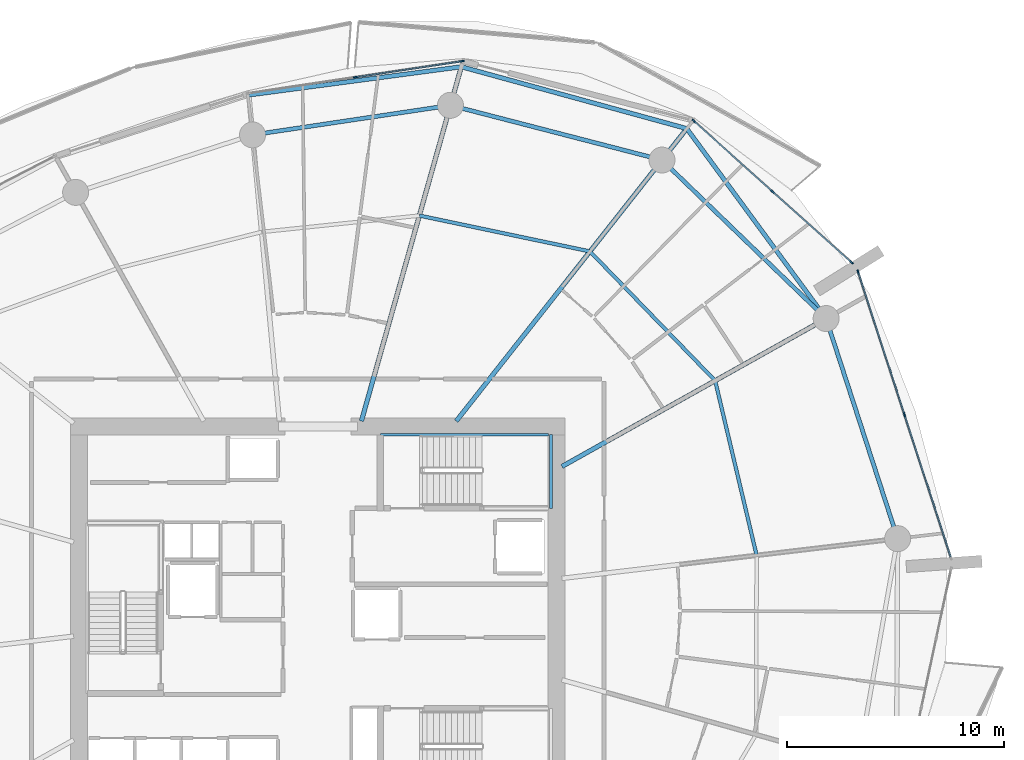
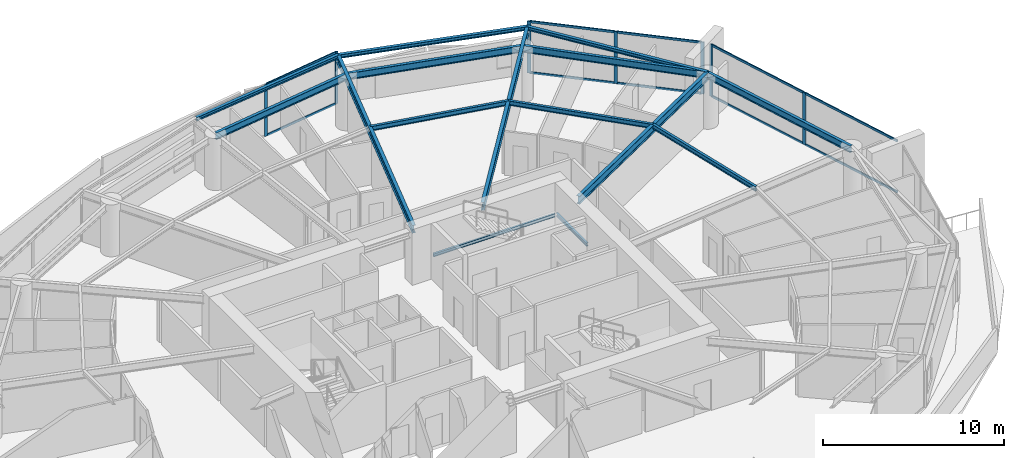
# One storey, part 9 of 23: 17 members, 15 beams, 3 elements without a shape of their own.
"""IFC4 building model written with IfcOpenShell, lengths in metres."""

from ifc_helpers import new_model, si_unit, direction, frame, origin, origin_2d, place, context, subcontext, project, spatial, rectangle, i_section, extrude, material, layer, layer_set, material_profile, profile_set, type_object, element, aggregate, save


model = new_model("IFC4")

# Units and contexts
model_context = context("Model", 3, precision=1e-05, world=origin(), true_north=direction((0.0, 1.0)))
body_context = subcontext(model_context, "Body", "Model", "MODEL_VIEW")
ifc_project = project(units=[si_unit("LENGTHUNIT", "METRE"), si_unit("AREAUNIT", "SQUARE_METRE"), si_unit("VOLUMEUNIT", "CUBIC_METRE"), si_unit("PLANEANGLEUNIT", "RADIAN"), si_unit("MASSUNIT", "GRAM", prefix="KILO")], contexts=[model_context])

# Site, building, storey
site_placement = place(None, origin())
site = spatial("IfcSite", under=ifc_project, at=site_placement, CompositionType="ELEMENT")
building_placement = place(site_placement, origin())
building = spatial("IfcBuilding", under=site, at=building_placement, Name="Kazma Halo Residences", CompositionType="ELEMENT")
storey_placement = place(building_placement, frame((0.0, 0.0, 86.39990234375)))
storey = spatial("IfcBuildingStorey", under=building, at=storey_placement, Name="L21", CompositionType="ELEMENT", Elevation=86.39990234375)

# Beams
ifc_material_1 = material(Name="Steel S355", Category="steel")
ifc_material_profile_1 = material_profile(ifc_material_1, i_section(OverallWidth=0.201904296875, OverallDepth=0.2470703125, WebThickness=0.00732421875, FlangeThickness=0.010986328125, FilletRadius=0.011962890625, at=origin_2d()), Name="W250x49.1")
ifc_profile_set_1 = profile_set([ifc_material_profile_1], Name="Steel S355")
beam_type_1 = type_object("IfcBeamType", Name="BM-BAL-CANT", PredefinedType="BEAM", material=ifc_profile_set_1)
beam_1_placement = place(storey_placement, frame((71.9033203125, 55.386474609375, 3.376708984375), z_axis=(-0.59144927253, 0.806342209005, 0.0), x_axis=(-0.806342209005, -0.59144927253, 0.0)))
element("IfcBeam", 1, at=beam_1_placement, inside=storey, type_object=beam_type_1, Name="L21 wave-balcony lead tie beam 01", PredefinedType="BEAM", context=body_context, shape_type="SweptSolid", body=[
    extrude(i_section(OverallWidth=0.201904296875, OverallDepth=0.2470703125, WebThickness=0.00732421875, FlangeThickness=0.010986328125, FilletRadius=0.011962890625, at=origin_2d()), origin(), (0.0, 0.0, 1.0), 10.87939453125),
])
beam_2_placement = place(storey_placement, frame((65.46875, 64.158935546875, 3.376708984375), z_axis=(-0.964396617, 0.264460139, 0.0), x_axis=(-0.264460139, -0.964396617, 0.0)))
element("IfcBeam", 2, at=beam_2_placement, inside=storey, type_object=beam_type_1, Name="L21 wave-balcony tie beam 02", PredefinedType="BEAM", context=body_context, shape_type="SweptSolid", body=[
    extrude(i_section(OverallWidth=0.201904296875, OverallDepth=0.2470703125, WebThickness=0.00732421875, FlangeThickness=0.010986328125, FilletRadius=0.011962890625, at=origin_2d()), origin(), (0.0, 0.0, 1.0), 10.79833984375),
])
beam_3_placement = place(storey_placement, frame((55.054931640625, 67.0146484375, 3.376708984375), z_axis=(-0.991294955884, -0.131659828494, 0.0), x_axis=(0.131659828494, -0.991294955884, 0.0)))
element("IfcBeam", 3, at=beam_3_placement, inside=storey, type_object=beam_type_1, Name="L21 wave-balcony tie beam 03", PredefinedType="BEAM", context=body_context, shape_type="SweptSolid", body=[
    extrude(i_section(OverallWidth=0.201904296875, OverallDepth=0.2470703125, WebThickness=0.00732421875, FlangeThickness=0.010986328125, FilletRadius=0.011962890625, at=origin_2d()), origin(), (0.0, 0.0, 1.0), 9.902099609375),
])
ifc_material_profile_2 = material_profile(ifc_material_1, i_section(OverallWidth=0.208984375, OverallDepth=0.532958984375, WebThickness=0.01025390625, FlangeThickness=0.015625, FilletRadius=0.01611328125, at=origin_2d()), Name="W530x92")
ifc_profile_set_2 = profile_set([ifc_material_profile_2], Name="Steel S355")
beam_type_2 = type_object("IfcBeamType", Name="BM-RAD-W530", PredefinedType="BEAM", material=ifc_profile_set_2)
beam_4_placement = place(storey_placement, frame((59.699951171875, 48.55224609375, 3.233642578125), z_axis=(0.87249559794, 0.488621972055, 0.0), x_axis=(-0.488621972055, 0.87249559794, 0.0)))
element("IfcBeam", 4, at=beam_4_placement, inside=storey, type_object=beam_type_2, Name="L21 radial floor beam 01", PredefinedType="BEAM", context=body_context, shape_type="SweptSolid", body=[
    extrude(i_section(OverallWidth=0.208984375, OverallDepth=0.532958984375, WebThickness=0.01025390625, FlangeThickness=0.015625, FilletRadius=0.01611328125, at=origin_2d()), origin(), (0.0, 0.0, 1.0), 13.98681640625),
])
beam_5_placement = place(storey_placement, frame((54.819091796875, 50.64990234375, 3.233642578125), z_axis=(0.619093774822, 0.785317068436, 0.0), x_axis=(-0.785317068436, 0.619093774822, 0.0)))
element("IfcBeam", 5, at=beam_5_placement, inside=storey, type_object=beam_type_2, Name="L21 radial floor beam 02", PredefinedType="BEAM", context=body_context, shape_type="SweptSolid", body=[
    extrude(i_section(OverallWidth=0.208984375, OverallDepth=0.532958984375, WebThickness=0.01025390625, FlangeThickness=0.015625, FilletRadius=0.01611328125, at=origin_2d()), origin(), (0.0, 0.0, 1.0), 17.201904296875),
])
beam_6_placement = place(storey_placement, frame((50.439697265625, 50.64990234375, 3.233642578125), z_axis=(0.271434928076, 0.962456793742, 0.0), x_axis=(-0.962456793742, 0.271434928076, 0.0)))
element("IfcBeam", 6, at=beam_6_placement, inside=storey, type_object=beam_type_2, Name="L21 radial floor beam 03", PredefinedType="BEAM", context=body_context, shape_type="SweptSolid", body=[
    extrude(i_section(OverallWidth=0.208984375, OverallDepth=0.532958984375, WebThickness=0.01025390625, FlangeThickness=0.015625, FilletRadius=0.01611328125, at=origin_2d()), origin(), (0.0, 0.0, 1.0), 17.003173828125),
])
ifc_material_profile_3 = material_profile(ifc_material_1, i_section(OverallWidth=0.1650390625, OverallDepth=0.31005859375, WebThickness=0.005859375, FlangeThickness=0.009765625, FilletRadius=0.011962890625, at=origin_2d()), Name="W310x38.7")
ifc_profile_set_3 = profile_set([ifc_material_profile_3], Name="Steel S355")
beam_type_3 = type_object("IfcBeamType", Name="BM-SEC-W310B", PredefinedType="JOIST", material=ifc_profile_set_3)
beam_7_placement = place(storey_placement, frame((66.77783203125, 52.51611328125, 3.34521484375), z_axis=(-0.695765378161, 0.718269126827, 0.0), x_axis=(-0.718269126827, -0.695765378161, 0.0)))
element("IfcBeam", 7, at=beam_7_placement, inside=storey, type_object=beam_type_3, Name="L21 circumferential floor joist 01", PredefinedType="JOIST", context=body_context, shape_type="SweptSolid", body=[
    extrude(i_section(OverallWidth=0.1650390625, OverallDepth=0.31005859375, WebThickness=0.005859375, FlangeThickness=0.009765625, FilletRadius=0.011962890625, at=origin_2d()), origin(), (0.0, 0.0, 1.0), 8.310302734375),
])
beam_8_placement = place(storey_placement, frame((60.995849609375, 58.485107421875, 3.34521484375), z_axis=(-0.978607976751, 0.205733876255, 0.0), x_axis=(-0.205733876255, -0.978607976751, 0.0)))
element("IfcBeam", 8, at=beam_8_placement, inside=storey, type_object=beam_type_3, Name="L21 circumferential floor joist 02", PredefinedType="JOIST", context=body_context, shape_type="SweptSolid", body=[
    extrude(i_section(OverallWidth=0.1650390625, OverallDepth=0.31005859375, WebThickness=0.005859375, FlangeThickness=0.009765625, FilletRadius=0.011962890625, at=origin_2d()), origin(), (0.0, 0.0, 1.0), 8.051513671875),
])
beam_9_placement = place(storey_placement, frame((68.69384765625, 44.44921875, 3.34521484375), z_axis=(-0.231087064161, 0.972933075179, 0.0), x_axis=(-0.972933075179, -0.231087064161, 0.0)))
element("IfcBeam", 9, at=beam_9_placement, inside=storey, type_object=beam_type_3, Name="L21 circumferential floor joist 16", PredefinedType="JOIST", context=body_context, shape_type="SweptSolid", body=[
    extrude(i_section(OverallWidth=0.1650390625, OverallDepth=0.31005859375, WebThickness=0.005859375, FlangeThickness=0.009765625, FilletRadius=0.011962890625, at=origin_2d()), origin(), (0.0, 0.0, 1.0), 8.291259765625),
])
ifc_material_profile_4 = material_profile(ifc_material_1, i_section(OverallWidth=0.18994140625, OverallDepth=0.45703125, WebThickness=0.009033203125, FlangeThickness=0.014404296875, FilletRadius=0.01611328125, at=origin_2d()), Name="W460x74")
ifc_profile_set_4 = profile_set([ifc_material_profile_4], Name="Steel S355")
beam_type_4 = type_object("IfcBeamType", Name="BM-SPN-W460", PredefinedType="BEAM", material=ifc_profile_set_4)
beam_10_placement = place(storey_placement, frame((71.9033203125, 55.386474609375, 3.271484375), z_axis=(-0.719336783114, 0.694661494873, 0.0), x_axis=(-0.694661494873, -0.719336783114, 0.0)))
element("IfcBeam", 10, at=beam_10_placement, inside=storey, type_object=beam_type_4, Name="L21 perimeter ring beam 01", PredefinedType="BEAM", context=body_context, shape_type="SweptSolid", body=[
    extrude(i_section(OverallWidth=0.18994140625, OverallDepth=0.45703125, WebThickness=0.009033203125, FlangeThickness=0.014404296875, FilletRadius=0.01611328125, at=origin_2d()), origin(), (0.0, 0.0, 1.0), 10.537353515625),
])
beam_11_placement = place(storey_placement, frame((64.323486328125, 62.706298828125, 3.271484375), z_axis=(-0.968124968683, 0.250467652626, 0.0), x_axis=(-0.250467652626, -0.968124968683, 0.0)))
element("IfcBeam", 11, at=beam_11_placement, inside=storey, type_object=beam_type_4, Name="L21 perimeter ring beam 02", PredefinedType="BEAM", context=body_context, shape_type="SweptSolid", body=[
    extrude(i_section(OverallWidth=0.18994140625, OverallDepth=0.45703125, WebThickness=0.009033203125, FlangeThickness=0.014404296875, FilletRadius=0.01611328125, at=origin_2d()), origin(), (0.0, 0.0, 1.0), 10.092529296875),
])
beam_12_placement = place(storey_placement, frame((54.552734375, 65.234130859375, 3.271484375), z_axis=(-0.989034176303, -0.147686824414, 0.0), x_axis=(0.147686824414, -0.989034176303, 0.0)))
element("IfcBeam", 12, at=beam_12_placement, inside=storey, type_object=beam_type_4, Name="L21 perimeter ring beam 03", PredefinedType="BEAM", context=body_context, shape_type="SweptSolid", body=[
    extrude(i_section(OverallWidth=0.18994140625, OverallDepth=0.45703125, WebThickness=0.009033203125, FlangeThickness=0.014404296875, FilletRadius=0.01611328125, at=origin_2d()), origin(), (0.0, 0.0, 1.0), 9.242431640625),
])
beam_13_placement = place(storey_placement, frame((75.20654296875, 45.22021484375, 3.271484375), z_axis=(-0.309017385422, 0.951056389236, 0.0), x_axis=(-0.951056389236, -0.309017385422, 0.0)))
element("IfcBeam", 13, at=beam_13_placement, inside=storey, type_object=beam_type_4, Name="L21 perimeter ring beam 16", PredefinedType="BEAM", context=body_context, shape_type="SweptSolid", body=[
    extrude(i_section(OverallWidth=0.18994140625, OverallDepth=0.45703125, WebThickness=0.009033203125, FlangeThickness=0.014404296875, FilletRadius=0.01611328125, at=origin_2d()), origin(), (0.0, 0.0, 1.0), 10.689453125),
])
ifc_material_profile_5 = material_profile(ifc_material_1, i_section(OverallWidth=0.133056640625, OverallDepth=0.20703125, WebThickness=0.005859375, FlangeThickness=0.00830078125, FilletRadius=0.010009765625, at=origin_2d()), Name="W200x26.6")
ifc_profile_set_5 = profile_set([ifc_material_profile_5], Name="Steel S355")
beam_type_5 = type_object("IfcBeamType", Name="BM-TRIM-W200", PredefinedType="BEAM", material=ifc_profile_set_5)
beam_14_placement = place(storey_placement, frame((51.31005859375, 50.02001953125, 1.570068359375), z_axis=(1.0, 0.0, 0.0), x_axis=(0.0, 1.0, 0.0)))
element("IfcBeam", 14, at=beam_14_placement, inside=storey, type_object=beam_type_5, Name="L21 ST-02 landing north wall ledger", PredefinedType="BEAM", context=body_context, shape_type="SweptSolid", body=[
    extrude(i_section(OverallWidth=0.133056640625, OverallDepth=0.20703125, WebThickness=0.005859375, FlangeThickness=0.00830078125, FilletRadius=0.010009765625, at=origin_2d()), origin(), (0.0, 0.0, 1.0), 7.760009765625),
])
beam_15_placement = place(storey_placement, frame((59.18994140625, 46.6201171875, 1.570068359375), z_axis=(0.0, 1.0, 0.0), x_axis=(-1.0, 0.0, 0.0)))
element("IfcBeam", 15, at=beam_15_placement, inside=storey, type_object=beam_type_5, Name="L21 ST-02 landing end wall ledger", PredefinedType="BEAM", context=body_context, shape_type="SweptSolid", body=[
    extrude(i_section(OverallWidth=0.133056640625, OverallDepth=0.20703125, WebThickness=0.005859375, FlangeThickness=0.00830078125, FilletRadius=0.010009765625, at=origin_2d()), origin(), (0.0, 0.0, 1.0), 3.39990234375),
])

# Curtain wall, members
ifc_material_2 = material(Name="Aluminium AW-6063 T6 and Triple-Silver Low-E Glass", Category="aluminium")
ifc_layer = layer(ifc_material_2, 0.199951171875)
ifc_layer_set = layer_set([ifc_layer], Name="Aluminium AW-6063 T6 and Triple-Silver Low-E Glass")
curtain_wall_type = type_object("IfcCurtainWallType", Name="CW-SYS-3", PredefinedType="NOTDEFINED", material=ifc_layer_set)
curtain_wall_1_placement = place(storey_placement, origin())
curtain_wall_1 = element("IfcCurtainWall", 16, at=curtain_wall_1_placement, inside=storey, type_object=curtain_wall_type, Name="L21 unitised curtain wall B01", PredefinedType="NOTDEFINED")
ifc_material_3 = material(Name="Aluminium AW-6063 T6", Category="aluminium")
ifc_material_profile_6 = material_profile(ifc_material_3, rectangle(XDim=0.070068359375, YDim=0.199951171875, at=origin_2d()), Name="CWM-70x200")
ifc_profile_set_6 = profile_set([ifc_material_profile_6], Name="Aluminium AW-6063 T6")
member_type_1 = type_object("IfcMemberType", Name="CW-SYS-3-MUL", PredefinedType="MULLION", material=ifc_profile_set_6)
member_1_placement = place(storey_placement, frame((73.071044921875, 57.981201171875, 0.0), z_axis=(0.0, 0.0, 1.0), x_axis=(-0.667794957375, -0.744345279359, 0.0)))
member_1 = element("IfcMember", 17, at=member_1_placement, type_object=member_type_1, Name="CWS-3 mullion 1", PredefinedType="MULLION", context=body_context, shape_type="SweptSolid", body=[
    extrude(rectangle(XDim=0.070068359375, YDim=0.199951171875, at=origin_2d()), origin(), (0.0, 0.0, 1.0), 3.5),
])
member_2_placement = place(storey_placement, frame((69.431396484375, 61.24658203125, 0.0), z_axis=(0.0, 0.0, 1.0), x_axis=(-0.667794957375, -0.744345279359, 0.0)))
member_2 = element("IfcMember", 18, at=member_2_placement, type_object=member_type_1, Name="CWS-3 mullion 2", PredefinedType="MULLION", context=body_context, shape_type="SweptSolid", body=[
    extrude(rectangle(XDim=0.070068359375, YDim=0.199951171875, at=origin_2d()), origin(), (0.0, 0.0, 1.0), 3.5),
])
member_3_placement = place(storey_placement, frame((65.791748046875, 64.51220703125, 0.0), z_axis=(0.0, 0.0, 1.0), x_axis=(-0.667794957375, -0.744345279359, 0.0)))
member_3 = element("IfcMember", 19, at=member_3_placement, type_object=member_type_1, Name="CWS-3 mullion 3", PredefinedType="MULLION", context=body_context, shape_type="SweptSolid", body=[
    extrude(rectangle(XDim=0.070068359375, YDim=0.199951171875, at=origin_2d()), origin(), (0.0, 0.0, 1.0), 3.5),
])

curtain_wall_2_placement = place(storey_placement, origin())
curtain_wall_2 = element("IfcCurtainWall", 20, at=curtain_wall_2_placement, inside=storey, type_object=curtain_wall_type, Name="L21 unitised curtain wall B03", PredefinedType="NOTDEFINED")
member_4_placement = place(storey_placement, frame((55.09423828125, 67.271728515625, 0.0), z_axis=(0.0, 0.0, 1.0), x_axis=(0.148717330409, -0.988879747814, 0.0)))
member_4 = element("IfcMember", 21, at=member_4_placement, type_object=member_type_1, Name="CWS-3 mullion 1", PredefinedType="MULLION", context=body_context, shape_type="SweptSolid", body=[
    extrude(rectangle(XDim=0.070068359375, YDim=0.199951171875, at=origin_2d()), origin(), (0.0, 0.0, 1.0), 3.5),
])
member_5_placement = place(storey_placement, frame((50.156982421875, 66.529296875, 0.0), z_axis=(0.0, 0.0, 1.0), x_axis=(0.148717330409, -0.988879747814, 0.0)))
member_5 = element("IfcMember", 22, at=member_5_placement, type_object=member_type_1, Name="CWS-3 mullion 2", PredefinedType="MULLION", context=body_context, shape_type="SweptSolid", body=[
    extrude(rectangle(XDim=0.070068359375, YDim=0.199951171875, at=origin_2d()), origin(), (0.0, 0.0, 1.0), 3.5),
])

curtain_wall_3_placement = place(storey_placement, origin())
curtain_wall_3 = element("IfcCurtainWall", 23, at=curtain_wall_3_placement, inside=storey, type_object=curtain_wall_type, Name="L21 unitised curtain wall B16", PredefinedType="NOTDEFINED")
member_6_placement = place(storey_placement, frame((75.52099609375, 50.942138671875, 0.0), z_axis=(0.0, 0.0, 1.0), x_axis=(-0.951057722508, -0.309013282008, 0.0)))
member_6 = element("IfcMember", 24, at=member_6_placement, type_object=member_type_1, Name="CWS-3 mullion 2", PredefinedType="MULLION", context=body_context, shape_type="SweptSolid", body=[
    extrude(rectangle(XDim=0.070068359375, YDim=0.199951171875, at=origin_2d()), origin(), (0.0, 0.0, 1.0), 3.5),
])
member_7_placement = place(storey_placement, frame((73.376708984375, 57.54150390625, 0.0), z_axis=(0.0, 0.0, 1.0), x_axis=(-0.951057722508, -0.309013282008, 0.0)))
member_7 = element("IfcMember", 25, at=member_7_placement, type_object=member_type_1, Name="CWS-3 mullion 3", PredefinedType="MULLION", context=body_context, shape_type="SweptSolid", body=[
    extrude(rectangle(XDim=0.070068359375, YDim=0.199951171875, at=origin_2d()), origin(), (0.0, 0.0, 1.0), 3.5),
])

# Member
ifc_material_profile_7 = material_profile(ifc_material_3, rectangle(XDim=0.070068359375, YDim=0.14990234375, at=origin_2d()), Name="CWT-70x150")
ifc_profile_set_7 = profile_set([ifc_material_profile_7], Name="Aluminium AW-6063 T6")
member_type_2 = type_object("IfcMemberType", Name="CW-SYS-3-TRN", PredefinedType="USERDEFINED", material=ifc_profile_set_7)
member_8_placement = place(storey_placement, frame((73.045166015625, 58.004638671875, 0.03515625), z_axis=(-0.744338471453, 0.667802545603, 0.0), x_axis=(-0.667802545603, -0.744338471453, 0.0)))
member_8 = element("IfcMember", 26, at=member_8_placement, type_object=member_type_2, Name="CWS-3 transom 1.1", ObjectType="TRANSOM", PredefinedType="USERDEFINED", context=body_context, shape_type="SweptSolid", body=[
    extrude(rectangle(XDim=0.070068359375, YDim=0.14990234375, at=origin_2d()), origin(), (0.0, 0.0, 1.0), 4.81982421875),
])

member_9_placement = place(storey_placement, frame((73.045166015625, 58.004638671875, 3.465087890625), z_axis=(-0.744338471453, 0.667802545603, 0.0), x_axis=(-0.667802545603, -0.744338471453, 0.0)))
member_9 = element("IfcMember", 27, at=member_9_placement, type_object=member_type_2, Name="CWS-3 transom 1.2", ObjectType="TRANSOM", PredefinedType="USERDEFINED", context=body_context, shape_type="SweptSolid", body=[
    extrude(rectangle(XDim=0.070068359375, YDim=0.14990234375, at=origin_2d()), origin(), (0.0, 0.0, 1.0), 4.81982421875),
])

member_10_placement = place(storey_placement, frame((69.4052734375, 61.27001953125, 0.03515625), z_axis=(-0.744338471453, 0.667802545603, 0.0), x_axis=(-0.667802545603, -0.744338471453, 0.0)))
member_10 = element("IfcMember", 28, at=member_10_placement, type_object=member_type_2, Name="CWS-3 transom 2.1", ObjectType="TRANSOM", PredefinedType="USERDEFINED", context=body_context, shape_type="SweptSolid", body=[
    extrude(rectangle(XDim=0.070068359375, YDim=0.14990234375, at=origin_2d()), origin(), (0.0, 0.0, 1.0), 4.81982421875),
])

member_11_placement = place(storey_placement, frame((69.4052734375, 61.27001953125, 3.465087890625), z_axis=(-0.744338471453, 0.667802545603, 0.0), x_axis=(-0.667802545603, -0.744338471453, 0.0)))
member_11 = element("IfcMember", 29, at=member_11_placement, type_object=member_type_2, Name="CWS-3 transom 2.2", ObjectType="TRANSOM", PredefinedType="USERDEFINED", context=body_context, shape_type="SweptSolid", body=[
    extrude(rectangle(XDim=0.070068359375, YDim=0.14990234375, at=origin_2d()), origin(), (0.0, 0.0, 1.0), 4.81982421875),
])

aggregate(curtain_wall_1, [member_1, member_2, member_3, member_8, member_9, member_10, member_11])

member_12_placement = place(storey_placement, frame((55.0595703125, 67.2666015625, 0.03515625), z_axis=(-0.988876977991, -0.148735746878, 0.0), x_axis=(0.148735746878, -0.988876977991, 0.0)))
member_12 = element("IfcMember", 30, at=member_12_placement, type_object=member_type_2, Name="CWS-3 transom 1.1", ObjectType="TRANSOM", PredefinedType="USERDEFINED", context=body_context, shape_type="SweptSolid", body=[
    extrude(rectangle(XDim=0.070068359375, YDim=0.14990234375, at=origin_2d()), origin(), (0.0, 0.0, 1.0), 4.922607421875),
])

member_13_placement = place(storey_placement, frame((55.0595703125, 67.2666015625, 3.465087890625), z_axis=(-0.988876977991, -0.148735746878, 0.0), x_axis=(0.148735746878, -0.988876977991, 0.0)))
member_13 = element("IfcMember", 31, at=member_13_placement, type_object=member_type_2, Name="CWS-3 transom 1.2", ObjectType="TRANSOM", PredefinedType="USERDEFINED", context=body_context, shape_type="SweptSolid", body=[
    extrude(rectangle(XDim=0.070068359375, YDim=0.14990234375, at=origin_2d()), origin(), (0.0, 0.0, 1.0), 4.922607421875),
])

aggregate(curtain_wall_2, [member_4, member_5, member_12, member_13])

member_14_placement = place(storey_placement, frame((77.654541015625, 44.3759765625, 0.03515625), z_axis=(-0.309000079699, 0.95106201204, 0.0), x_axis=(-0.95106201204, -0.309000079699, 0.0)))
member_14 = element("IfcMember", 32, at=member_14_placement, type_object=member_type_2, Name="CWS-3 transom 1.1", ObjectType="TRANSOM", PredefinedType="USERDEFINED", context=body_context, shape_type="SweptSolid", body=[
    extrude(rectangle(XDim=0.070068359375, YDim=0.14990234375, at=origin_2d()), origin(), (0.0, 0.0, 1.0), 6.869140625),
])

member_15_placement = place(storey_placement, frame((77.654541015625, 44.3759765625, 3.465087890625), z_axis=(-0.309000079699, 0.95106201204, 0.0), x_axis=(-0.95106201204, -0.309000079699, 0.0)))
member_15 = element("IfcMember", 33, at=member_15_placement, type_object=member_type_2, Name="CWS-3 transom 1.2", ObjectType="TRANSOM", PredefinedType="USERDEFINED", context=body_context, shape_type="SweptSolid", body=[
    extrude(rectangle(XDim=0.070068359375, YDim=0.14990234375, at=origin_2d()), origin(), (0.0, 0.0, 1.0), 6.869140625),
])

member_16_placement = place(storey_placement, frame((75.51025390625, 50.975341796875, 0.03515625), z_axis=(-0.309000079699, 0.95106201204, 0.0), x_axis=(-0.95106201204, -0.309000079699, 0.0)))
member_16 = element("IfcMember", 34, at=member_16_placement, type_object=member_type_2, Name="CWS-3 transom 2.1", ObjectType="TRANSOM", PredefinedType="USERDEFINED", context=body_context, shape_type="SweptSolid", body=[
    extrude(rectangle(XDim=0.070068359375, YDim=0.14990234375, at=origin_2d()), origin(), (0.0, 0.0, 1.0), 6.869140625),
])

member_17_placement = place(storey_placement, frame((75.51025390625, 50.975341796875, 3.465087890625), z_axis=(-0.309000079699, 0.95106201204, 0.0), x_axis=(-0.95106201204, -0.309000079699, 0.0)))
member_17 = element("IfcMember", 35, at=member_17_placement, type_object=member_type_2, Name="CWS-3 transom 2.2", ObjectType="TRANSOM", PredefinedType="USERDEFINED", context=body_context, shape_type="SweptSolid", body=[
    extrude(rectangle(XDim=0.070068359375, YDim=0.14990234375, at=origin_2d()), origin(), (0.0, 0.0, 1.0), 6.869140625),
])

aggregate(curtain_wall_3, [member_6, member_7, member_14, member_15, member_16, member_17])

save(model, "model.ifc")
